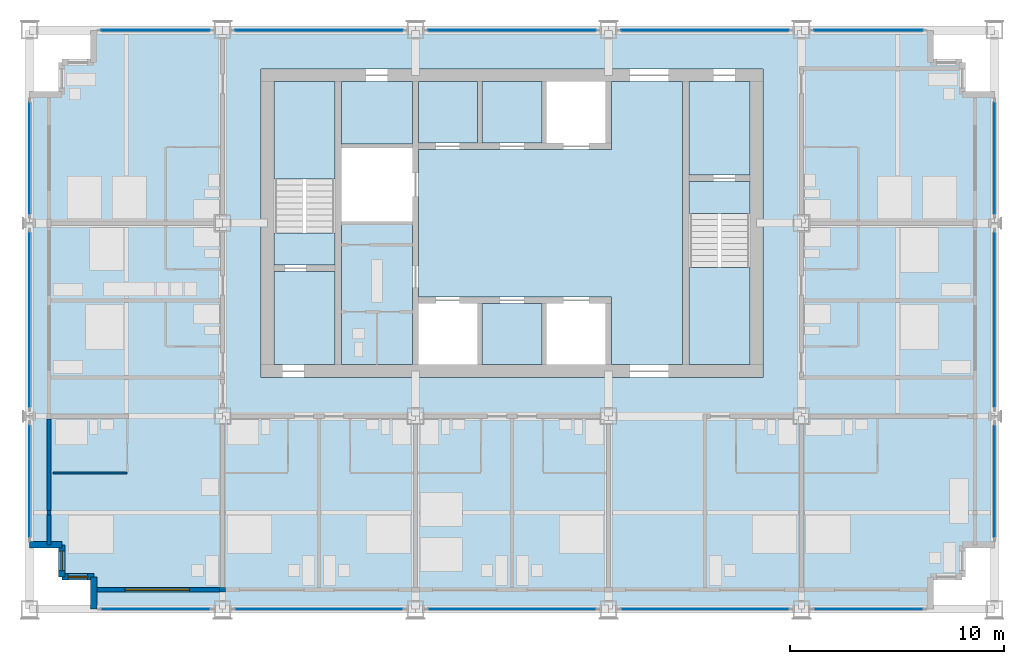
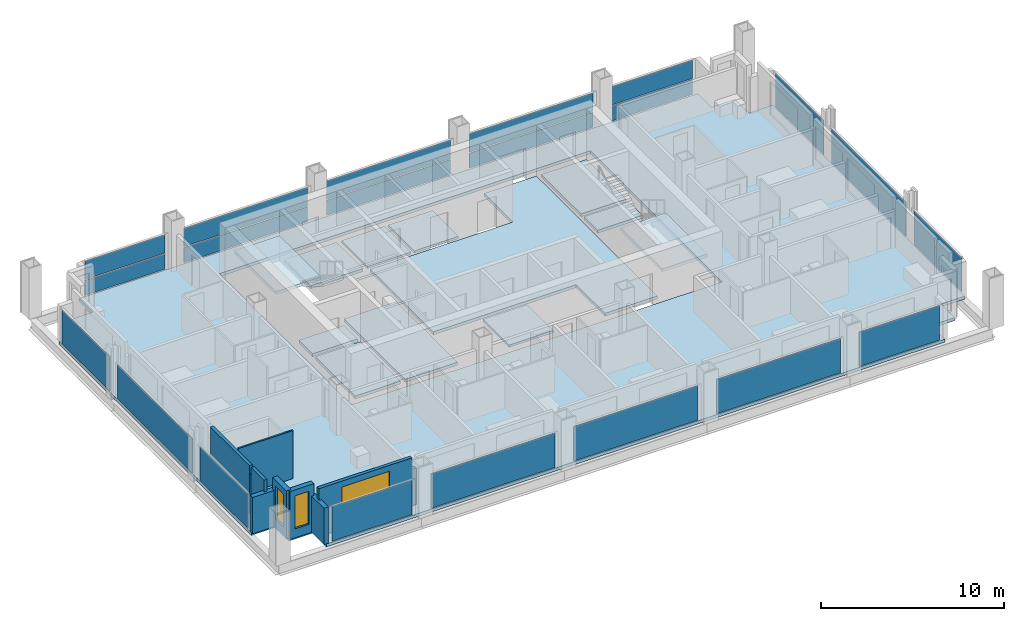
# One storey, part 6 of 14: 21 plates, 13 slabs, 10 walls, 3 windows, 3 openings, 18 elements without a shape of their own.
"""IFC4 building model written with IfcOpenShell, lengths in metres."""

from ifc_helpers import new_model, si_unit, direction, frame, frame_2d, origin, origin_2d, place, context, subcontext, project, spatial, polyline, rectangle, outline, extrude, material, layer, layer_set, type_object, element, fill, aggregate, save


model = new_model("IFC4")

# Units and contexts
model_context = context("Model", 3, precision=1e-05, world=origin(), true_north=direction((0.0, 1.0)))
body_context = subcontext(model_context, "Body", "Model", "MODEL_VIEW")
ifc_project = project(units=[si_unit("LENGTHUNIT", "METRE"), si_unit("AREAUNIT", "SQUARE_METRE"), si_unit("VOLUMEUNIT", "CUBIC_METRE"), si_unit("PLANEANGLEUNIT", "RADIAN"), si_unit("MASSUNIT", "GRAM", prefix="KILO")], contexts=[model_context])

# Site, building, storey
site_placement = place(None, origin())
site = spatial("IfcSite", under=ifc_project, at=site_placement, CompositionType="ELEMENT")
building_placement = place(site_placement, origin())
building = spatial("IfcBuilding", under=site, at=building_placement, Name="Loomwork Tower", CompositionType="ELEMENT")
storey_placement = place(building_placement, frame((0.0, 0.0, 167.199951171875)))
storey = spatial("IfcBuildingStorey", under=building, at=storey_placement, Name="L45", CompositionType="ELEMENT", Elevation=167.199951171875)

# Slabs
ifc_material_1 = material(Name="Concrete 5000 psi (34 MPa) on composite metal deck", Category="concrete")
ifc_layer_1 = layer(ifc_material_1, 0.199951171875)
ifc_layer_set_1 = layer_set([ifc_layer_1], Name="Floor slab 200")
slab_type_1 = type_object("IfcSlabType", Name="Floor slab 200", PredefinedType="FLOOR", material=ifc_layer_set_1)
slab_1_placement = place(storey_placement, frame((0.0, 0.0, -0.199951171875)))
element("IfcSlab", 1, at=slab_1_placement, inside=storey, type_object=slab_type_1, Name="Floor slab L45", PredefinedType="FLOOR", context=body_context, shape_type="SweptSolid", body=[
    extrude(outline(polyline([(3.0, 1.5), (1.5, 1.5), (1.5, 3.0), (0.0, 3.0), (0.0, 24.0), (1.5, 24.0), (1.5, 25.5), (3.0, 25.5), (3.0, 27.0), (42.0, 27.0), (42.0, 25.5), (43.5, 25.5), (43.5, 24.0), (45.0, 24.0), (45.0, 3.0), (43.5, 3.0), (43.5, 1.5), (42.0, 1.5), (42.0, 0.0), (3.0, 0.0), (3.0, 1.5)]), holes=[polyline([(10.800048828125, 11.39990234375), (10.800048828125, 11.39990234375), (10.800048828125, 10.800048828125), (34.199951171875, 10.800048828125), (34.199951171875, 11.39990234375), (34.199951171875, 11.39990234375), (34.199951171875, 24.60009765625), (34.199951171875, 25.199951171875), (10.800048828125, 25.199951171875), (10.800048828125, 24.60009765625), (10.800048828125, 11.39990234375)])]), origin(), (0.0, 0.0, 1.0), 0.199951171875),
])
slab_2_placement = place(storey_placement, frame((0.0, 0.0, -0.199951171875)))
element("IfcSlab", 2, at=slab_2_placement, inside=storey, type_object=slab_type_1, Name="Floor slab L45", PredefinedType="FLOOR", context=body_context, shape_type="SweptSolid", body=[
    extrude(outline(polyline([(30.449951171875, 24.60009765625), (30.449951171875, 11.39990234375), (27.14990234375, 11.39990234375), (27.14990234375, 14.25), (27.14990234375, 14.550048828125), (18.14990234375, 14.550048828125), (18.14990234375, 21.449951171875), (27.14990234375, 21.449951171875), (27.14990234375, 21.75), (27.14990234375, 24.60009765625), (30.449951171875, 24.60009765625)])), origin(), (0.0, 0.0, 1.0), 0.199951171875),
])
slab_3_placement = place(storey_placement, frame((0.0, 0.0, -0.199951171875)))
element("IfcSlab", 3, at=slab_3_placement, inside=storey, type_object=slab_type_1, Name="Floor slab L45", PredefinedType="FLOOR", context=body_context, shape_type="SweptSolid", body=[
    extrude(outline(polyline([(14.550048828125, 11.39990234375), (14.550048828125, 18.074951171875), (17.85009765625, 18.074951171875), (17.85009765625, 11.39990234375), (14.550048828125, 11.39990234375)])), origin(), (0.0, 0.0, 1.0), 0.199951171875),
])
slab_4_placement = place(storey_placement, frame((0.0, 0.0, -0.199951171875)))
element("IfcSlab", 4, at=slab_4_placement, inside=storey, type_object=slab_type_1, Name="Floor slab L45", PredefinedType="FLOOR", context=body_context, shape_type="SweptSolid", body=[
    extrude(outline(polyline([(33.60009765625, 20.25), (30.75, 20.25), (30.75, 24.60009765625), (33.60009765625, 24.60009765625), (33.60009765625, 20.25)])), origin(), (0.0, 0.0, 1.0), 0.199951171875),
])
slab_5_placement = place(storey_placement, frame((0.0, 0.0, -0.199951171875)))
element("IfcSlab", 5, at=slab_5_placement, inside=storey, type_object=slab_type_1, Name="Floor slab L45", PredefinedType="FLOOR", context=body_context, shape_type="SweptSolid", body=[
    extrude(outline(polyline([(14.25, 15.75), (14.25, 11.39990234375), (11.39990234375, 11.39990234375), (11.39990234375, 15.75), (14.25, 15.75)])), origin(), (0.0, 0.0, 1.0), 0.199951171875),
])
slab_6_placement = place(storey_placement, frame((0.0, 0.0, -0.199951171875)))
element("IfcSlab", 6, at=slab_6_placement, inside=storey, type_object=slab_type_1, Name="Floor slab L45", PredefinedType="FLOOR", context=body_context, shape_type="SweptSolid", body=[
    extrude(outline(polyline([(14.550048828125, 21.699951171875), (14.550048828125, 24.60009765625), (17.85009765625, 24.60009765625), (17.85009765625, 21.699951171875), (14.550048828125, 21.699951171875)])), origin(), (0.0, 0.0, 1.0), 0.199951171875),
])

# Curtain wall, plate
ifc_material_2 = material(Name="Aluminium curtain wall frame", Category="aluminium")
curtain_wall_type_1 = type_object("IfcCurtainWallType", Name="Outer skin glazing hotel", PredefinedType="NOTDEFINED", material=ifc_material_2)
curtain_wall_1_placement = place(storey_placement, origin())
curtain_wall_1 = element("IfcCurtainWall", 7, at=curtain_wall_1_placement, inside=storey, type_object=curtain_wall_type_1, Name="Outer skin glazing hotel cw/S-0", PredefinedType="NOTDEFINED")
ifc_material_3 = material(Name="Clear laminated glass", Category="glass")
ifc_layer_2 = layer(ifc_material_3, 0.02392578125)
ifc_layer_set_2 = layer_set([ifc_layer_2], Name="Outer skin glazing hotel panel")
plate_type_1 = type_object("IfcPlateType", Name="Outer skin glazing hotel panel", PredefinedType="CURTAIN_PANEL", material=ifc_layer_set_2)
plate_1_placement = place(storey_placement, frame((5.875, 0.0, 0.06494140625), z_axis=(0.0, 0.0, 1.0), x_axis=(1.0, 0.0, 0.0)))
plate_1 = element("IfcPlate", 8, at=plate_1_placement, type_object=plate_type_1, Name="CW1 panel 1.1", PredefinedType="CURTAIN_PANEL", context=body_context, shape_type="SweptSolid", body=[
    extrude(rectangle(XDim=5.050048828125, YDim=0.02392578125, at=origin_2d()), origin(), (0.0, 0.0, 1.0), 2.290283203125),
])
aggregate(curtain_wall_1, [plate_1])

curtain_wall_2_placement = place(storey_placement, origin())
curtain_wall_2 = element("IfcCurtainWall", 9, at=curtain_wall_2_placement, inside=storey, type_object=curtain_wall_type_1, Name="Outer skin glazing hotel cw/S-9", PredefinedType="NOTDEFINED")
plate_2_placement = place(storey_placement, frame((13.5, 0.0, 0.06494140625), z_axis=(0.0, 0.0, 1.0), x_axis=(1.0, 0.0, 0.0)))
plate_2 = element("IfcPlate", 10, at=plate_2_placement, type_object=plate_type_1, Name="CW1 panel 1.1", PredefinedType="CURTAIN_PANEL", context=body_context, shape_type="SweptSolid", body=[
    extrude(rectangle(XDim=7.800048828125, YDim=0.02392578125, at=origin_2d()), origin(), (0.0, 0.0, 1.0), 2.290283203125),
])
aggregate(curtain_wall_2, [plate_2])

curtain_wall_3_placement = place(storey_placement, origin())
curtain_wall_3 = element("IfcCurtainWall", 11, at=curtain_wall_3_placement, inside=storey, type_object=curtain_wall_type_1, Name="Outer skin glazing hotel cw/S-18", PredefinedType="NOTDEFINED")
plate_3_placement = place(storey_placement, frame((22.5, 0.0, 0.06494140625), z_axis=(0.0, 0.0, 1.0), x_axis=(1.0, 0.0, 0.0)))
plate_3 = element("IfcPlate", 12, at=plate_3_placement, type_object=plate_type_1, Name="CW1 panel 1.1", PredefinedType="CURTAIN_PANEL", context=body_context, shape_type="SweptSolid", body=[
    extrude(rectangle(XDim=7.800048828125, YDim=0.02392578125, at=origin_2d()), origin(), (0.0, 0.0, 1.0), 2.290283203125),
])
aggregate(curtain_wall_3, [plate_3])

curtain_wall_4_placement = place(storey_placement, origin())
curtain_wall_4 = element("IfcCurtainWall", 13, at=curtain_wall_4_placement, inside=storey, type_object=curtain_wall_type_1, Name="Outer skin glazing hotel cw/S-27", PredefinedType="NOTDEFINED")
plate_4_placement = place(storey_placement, frame((31.5, 0.0, 0.06494140625), z_axis=(0.0, 0.0, 1.0), x_axis=(1.0, 0.0, 0.0)))
plate_4 = element("IfcPlate", 14, at=plate_4_placement, type_object=plate_type_1, Name="CW1 panel 1.1", PredefinedType="CURTAIN_PANEL", context=body_context, shape_type="SweptSolid", body=[
    extrude(rectangle(XDim=7.800048828125, YDim=0.02392578125, at=origin_2d()), origin(), (0.0, 0.0, 1.0), 2.290283203125),
])
aggregate(curtain_wall_4, [plate_4])

curtain_wall_5_placement = place(storey_placement, origin())
curtain_wall_5 = element("IfcCurtainWall", 15, at=curtain_wall_5_placement, inside=storey, type_object=curtain_wall_type_1, Name="Outer skin glazing hotel cw/S-36", PredefinedType="NOTDEFINED")
plate_5_placement = place(storey_placement, frame((39.125, 0.0, 0.06494140625), z_axis=(0.0, 0.0, 1.0), x_axis=(1.0, 0.0, 0.0)))
plate_5 = element("IfcPlate", 16, at=plate_5_placement, type_object=plate_type_1, Name="CW1 panel 1.1", PredefinedType="CURTAIN_PANEL", context=body_context, shape_type="SweptSolid", body=[
    extrude(rectangle(XDim=5.050048828125, YDim=0.02392578125, at=origin_2d()), origin(), (0.0, 0.0, 1.0), 2.290283203125),
])
aggregate(curtain_wall_5, [plate_5])

curtain_wall_6_placement = place(storey_placement, origin())
curtain_wall_6 = element("IfcCurtainWall", 17, at=curtain_wall_6_placement, inside=storey, type_object=curtain_wall_type_1, Name="Outer skin glazing hotel cw/W-0", PredefinedType="NOTDEFINED")
plate_6_placement = place(storey_placement, frame((0.0, 5.962646484375, 0.06494140625), z_axis=(0.0, 0.0, 1.0), x_axis=(0.0, -1.0, 0.0)))
plate_6 = element("IfcPlate", 18, at=plate_6_placement, type_object=plate_type_1, Name="CW1 panel 1.1", PredefinedType="CURTAIN_PANEL", context=body_context, shape_type="SweptSolid", body=[
    extrude(rectangle(XDim=5.22509765625, YDim=0.02392578125, at=origin_2d()), origin(), (0.0, 0.0, 1.0), 2.290283203125),
])
aggregate(curtain_wall_6, [plate_6])

curtain_wall_7_placement = place(storey_placement, origin())
curtain_wall_7 = element("IfcCurtainWall", 19, at=curtain_wall_7_placement, inside=storey, type_object=curtain_wall_type_1, Name="Outer skin glazing hotel cw/W-9", PredefinedType="NOTDEFINED")
plate_7_placement = place(storey_placement, frame((0.0, 13.5, 0.06494140625), z_axis=(0.0, 0.0, 1.0), x_axis=(0.0, -1.0, 0.0)))
plate_7 = element("IfcPlate", 20, at=plate_7_placement, type_object=plate_type_1, Name="CW1 panel 1.1", PredefinedType="CURTAIN_PANEL", context=body_context, shape_type="SweptSolid", body=[
    extrude(rectangle(XDim=8.150390625, YDim=0.02392578125, at=origin_2d()), origin(), (0.0, 0.0, 1.0), 2.290283203125),
])
aggregate(curtain_wall_7, [plate_7])

curtain_wall_8_placement = place(storey_placement, origin())
curtain_wall_8 = element("IfcCurtainWall", 21, at=curtain_wall_8_placement, inside=storey, type_object=curtain_wall_type_1, Name="Outer skin glazing hotel cw/W-18", PredefinedType="NOTDEFINED")
plate_8_placement = place(storey_placement, frame((0.0, 21.037353515625, 0.06494140625), z_axis=(0.0, 0.0, 1.0), x_axis=(0.0, -1.0, 0.0)))
plate_8 = element("IfcPlate", 22, at=plate_8_placement, type_object=plate_type_1, Name="CW1 panel 1.1", PredefinedType="CURTAIN_PANEL", context=body_context, shape_type="SweptSolid", body=[
    extrude(rectangle(XDim=5.22509765625, YDim=0.02392578125, at=origin_2d()), origin(), (0.0, 0.0, 1.0), 2.290283203125),
])
aggregate(curtain_wall_8, [plate_8])

curtain_wall_9_placement = place(storey_placement, origin())
curtain_wall_9 = element("IfcCurtainWall", 23, at=curtain_wall_9_placement, inside=storey, type_object=curtain_wall_type_1, Name="Outer skin glazing hotel cw/E-0", PredefinedType="NOTDEFINED")
plate_9_placement = place(storey_placement, frame((45.0, 5.962646484375, 0.06494140625), z_axis=(0.0, 0.0, 1.0), x_axis=(0.0, 1.0, 0.0)))
plate_9 = element("IfcPlate", 24, at=plate_9_placement, type_object=plate_type_1, Name="CW1 panel 1.1", PredefinedType="CURTAIN_PANEL", context=body_context, shape_type="SweptSolid", body=[
    extrude(rectangle(XDim=5.22509765625, YDim=0.02392578125, at=origin_2d()), origin(), (0.0, 0.0, 1.0), 2.290283203125),
])
aggregate(curtain_wall_9, [plate_9])

curtain_wall_10_placement = place(storey_placement, origin())
curtain_wall_10 = element("IfcCurtainWall", 25, at=curtain_wall_10_placement, inside=storey, type_object=curtain_wall_type_1, Name="Outer skin glazing hotel cw/E-9", PredefinedType="NOTDEFINED")
plate_10_placement = place(storey_placement, frame((45.0, 13.5, 0.06494140625), z_axis=(0.0, 0.0, 1.0), x_axis=(0.0, 1.0, 0.0)))
plate_10 = element("IfcPlate", 26, at=plate_10_placement, type_object=plate_type_1, Name="CW1 panel 1.1", PredefinedType="CURTAIN_PANEL", context=body_context, shape_type="SweptSolid", body=[
    extrude(rectangle(XDim=8.150390625, YDim=0.02392578125, at=origin_2d()), origin(), (0.0, 0.0, 1.0), 2.290283203125),
])
aggregate(curtain_wall_10, [plate_10])

curtain_wall_11_placement = place(storey_placement, origin())
curtain_wall_11 = element("IfcCurtainWall", 27, at=curtain_wall_11_placement, inside=storey, type_object=curtain_wall_type_1, Name="Outer skin glazing hotel cw/E-18", PredefinedType="NOTDEFINED")
plate_11_placement = place(storey_placement, frame((45.0, 21.037353515625, 0.06494140625), z_axis=(0.0, 0.0, 1.0), x_axis=(0.0, 1.0, 0.0)))
plate_11 = element("IfcPlate", 28, at=plate_11_placement, type_object=plate_type_1, Name="CW1 panel 1.1", PredefinedType="CURTAIN_PANEL", context=body_context, shape_type="SweptSolid", body=[
    extrude(rectangle(XDim=5.22509765625, YDim=0.02392578125, at=origin_2d()), origin(), (0.0, 0.0, 1.0), 2.290283203125),
])
aggregate(curtain_wall_11, [plate_11])

# Slabs
ifc_material_4 = material(Name="Concrete 5000 psi (34 MPa) on composite metal deck", Category="concrete")
ifc_layer_3 = layer(ifc_material_4, 0.14990234375)
ifc_layer_set_3 = layer_set([ifc_layer_3], Name="Shaft infill floor 150")
slab_type_2 = type_object("IfcSlabType", Name="Shaft infill floor 150", PredefinedType="FLOOR", material=ifc_layer_set_3)
slab_7_placement = place(storey_placement, frame((0.0, 0.0, -0.14990234375)))
element("IfcSlab", 29, at=slab_7_placement, inside=storey, type_object=slab_type_2, Name="Shaft infill floor LS1 L45", PredefinedType="FLOOR", context=body_context, shape_type="SweptSolid", body=[
    extrude(outline(polyline([(18.14990234375, 21.75), (20.89990234375, 21.75), (20.89990234375, 24.60009765625), (18.14990234375, 24.60009765625), (18.14990234375, 21.75)])), origin(), (0.0, 0.0, 1.0), 0.14990234375),
])
slab_8_placement = place(storey_placement, frame((0.0, 0.0, -0.14990234375)))
element("IfcSlab", 30, at=slab_8_placement, inside=storey, type_object=slab_type_2, Name="Shaft infill floor LS2 L45", PredefinedType="FLOOR", context=body_context, shape_type="SweptSolid", body=[
    extrude(outline(polyline([(21.10009765625, 21.75), (23.89990234375, 21.75), (23.89990234375, 24.60009765625), (21.10009765625, 24.60009765625), (21.10009765625, 21.75)])), origin(), (0.0, 0.0, 1.0), 0.14990234375),
])
slab_9_placement = place(storey_placement, frame((0.0, 0.0, -0.14990234375)))
element("IfcSlab", 31, at=slab_9_placement, inside=storey, type_object=slab_type_2, Name="Shaft infill floor S2 L45", PredefinedType="FLOOR", context=body_context, shape_type="SweptSolid", body=[
    extrude(outline(polyline([(21.10009765625, 11.39990234375), (23.89990234375, 11.39990234375), (23.89990234375, 14.25), (21.10009765625, 14.25), (21.10009765625, 11.39990234375)])), origin(), (0.0, 0.0, 1.0), 0.14990234375),
])

# Curtain wall, plates
ifc_material_5 = material(Name="Aluminium curtain wall frame", Category="aluminium")
curtain_wall_type_2 = type_object("IfcCurtainWallType", Name="Single skin glazing corridor", PredefinedType="NOTDEFINED", material=ifc_material_5)
curtain_wall_12_placement = place(storey_placement, origin())
curtain_wall_12 = element("IfcCurtainWall", 32, at=curtain_wall_12_placement, inside=storey, type_object=curtain_wall_type_2, Name="Single skin glazing corridor cw/N-0", PredefinedType="NOTDEFINED")
ifc_material_6 = material(Name="Clear insulated glass", Category="glass")
ifc_layer_4 = layer(ifc_material_6, 0.031982421875)
ifc_layer_set_4 = layer_set([ifc_layer_4], Name="Single skin glazing corridor panel")
plate_type_2 = type_object("IfcPlateType", Name="Single skin glazing corridor panel", PredefinedType="CURTAIN_PANEL", material=ifc_layer_set_4)
plate_12_placement = place(storey_placement, frame((5.875, 27.0, 0.065185546875), z_axis=(0.0, 0.0, 1.0), x_axis=(-1.0, 0.0, 0.0)))
plate_12 = element("IfcPlate", 33, at=plate_12_placement, type_object=plate_type_2, Name="CW3 panel 1.1", PredefinedType="CURTAIN_PANEL", context=body_context, shape_type="SweptSolid", body=[
    extrude(rectangle(XDim=5.050048828125, YDim=0.031982421875, at=origin_2d()), origin(), (0.0, 0.0, 1.0), 1.00244140625),
])
plate_13_placement = place(storey_placement, frame((5.875, 27.0, 1.132568359375), z_axis=(0.0, 0.0, 1.0), x_axis=(-1.0, 0.0, 0.0)))
plate_13 = element("IfcPlate", 34, at=plate_13_placement, type_object=plate_type_2, Name="CW3 panel 1.2", PredefinedType="CURTAIN_PANEL", context=body_context, shape_type="SweptSolid", body=[
    extrude(rectangle(XDim=5.050048828125, YDim=0.031982421875, at=origin_2d()), origin(), (0.0, 0.0, 1.0), 1.22265625),
])
aggregate(curtain_wall_12, [plate_12, plate_13])

curtain_wall_13_placement = place(storey_placement, origin())
curtain_wall_13 = element("IfcCurtainWall", 35, at=curtain_wall_13_placement, inside=storey, type_object=curtain_wall_type_2, Name="Single skin glazing corridor cw/N-9", PredefinedType="NOTDEFINED")
plate_14_placement = place(storey_placement, frame((13.5, 27.0, 0.065185546875), z_axis=(0.0, 0.0, 1.0), x_axis=(-1.0, 0.0, 0.0)))
plate_14 = element("IfcPlate", 36, at=plate_14_placement, type_object=plate_type_2, Name="CW3 panel 1.1", PredefinedType="CURTAIN_PANEL", context=body_context, shape_type="SweptSolid", body=[
    extrude(rectangle(XDim=7.800048828125, YDim=0.031982421875, at=origin_2d()), origin(), (0.0, 0.0, 1.0), 1.00244140625),
])
plate_15_placement = place(storey_placement, frame((13.5, 27.0, 1.132568359375), z_axis=(0.0, 0.0, 1.0), x_axis=(-1.0, 0.0, 0.0)))
plate_15 = element("IfcPlate", 37, at=plate_15_placement, type_object=plate_type_2, Name="CW3 panel 1.2", PredefinedType="CURTAIN_PANEL", context=body_context, shape_type="SweptSolid", body=[
    extrude(rectangle(XDim=7.800048828125, YDim=0.031982421875, at=origin_2d()), origin(), (0.0, 0.0, 1.0), 1.22265625),
])
aggregate(curtain_wall_13, [plate_14, plate_15])

curtain_wall_14_placement = place(storey_placement, origin())
curtain_wall_14 = element("IfcCurtainWall", 38, at=curtain_wall_14_placement, inside=storey, type_object=curtain_wall_type_2, Name="Single skin glazing corridor cw/N-18", PredefinedType="NOTDEFINED")
plate_16_placement = place(storey_placement, frame((22.5, 27.0, 0.065185546875), z_axis=(0.0, 0.0, 1.0), x_axis=(-1.0, 0.0, 0.0)))
plate_16 = element("IfcPlate", 39, at=plate_16_placement, type_object=plate_type_2, Name="CW3 panel 1.1", PredefinedType="CURTAIN_PANEL", context=body_context, shape_type="SweptSolid", body=[
    extrude(rectangle(XDim=7.800048828125, YDim=0.031982421875, at=origin_2d()), origin(), (0.0, 0.0, 1.0), 1.00244140625),
])
plate_17_placement = place(storey_placement, frame((22.5, 27.0, 1.132568359375), z_axis=(0.0, 0.0, 1.0), x_axis=(-1.0, 0.0, 0.0)))
plate_17 = element("IfcPlate", 40, at=plate_17_placement, type_object=plate_type_2, Name="CW3 panel 1.2", PredefinedType="CURTAIN_PANEL", context=body_context, shape_type="SweptSolid", body=[
    extrude(rectangle(XDim=7.800048828125, YDim=0.031982421875, at=origin_2d()), origin(), (0.0, 0.0, 1.0), 1.22265625),
])
aggregate(curtain_wall_14, [plate_16, plate_17])

curtain_wall_15_placement = place(storey_placement, origin())
curtain_wall_15 = element("IfcCurtainWall", 41, at=curtain_wall_15_placement, inside=storey, type_object=curtain_wall_type_2, Name="Single skin glazing corridor cw/N-27", PredefinedType="NOTDEFINED")
plate_18_placement = place(storey_placement, frame((31.5, 27.0, 0.065185546875), z_axis=(0.0, 0.0, 1.0), x_axis=(-1.0, 0.0, 0.0)))
plate_18 = element("IfcPlate", 42, at=plate_18_placement, type_object=plate_type_2, Name="CW3 panel 1.1", PredefinedType="CURTAIN_PANEL", context=body_context, shape_type="SweptSolid", body=[
    extrude(rectangle(XDim=7.800048828125, YDim=0.031982421875, at=origin_2d()), origin(), (0.0, 0.0, 1.0), 1.00244140625),
])
plate_19_placement = place(storey_placement, frame((31.5, 27.0, 1.132568359375), z_axis=(0.0, 0.0, 1.0), x_axis=(-1.0, 0.0, 0.0)))
plate_19 = element("IfcPlate", 43, at=plate_19_placement, type_object=plate_type_2, Name="CW3 panel 1.2", PredefinedType="CURTAIN_PANEL", context=body_context, shape_type="SweptSolid", body=[
    extrude(rectangle(XDim=7.800048828125, YDim=0.031982421875, at=origin_2d()), origin(), (0.0, 0.0, 1.0), 1.22265625),
])
aggregate(curtain_wall_15, [plate_18, plate_19])

curtain_wall_16_placement = place(storey_placement, origin())
curtain_wall_16 = element("IfcCurtainWall", 44, at=curtain_wall_16_placement, inside=storey, type_object=curtain_wall_type_2, Name="Single skin glazing corridor cw/N-36", PredefinedType="NOTDEFINED")
plate_20_placement = place(storey_placement, frame((39.125, 27.0, 0.065185546875), z_axis=(0.0, 0.0, 1.0), x_axis=(-1.0, 0.0, 0.0)))
plate_20 = element("IfcPlate", 45, at=plate_20_placement, type_object=plate_type_2, Name="CW3 panel 1.1", PredefinedType="CURTAIN_PANEL", context=body_context, shape_type="SweptSolid", body=[
    extrude(rectangle(XDim=5.050048828125, YDim=0.031982421875, at=origin_2d()), origin(), (0.0, 0.0, 1.0), 1.00244140625),
])
plate_21_placement = place(storey_placement, frame((39.125, 27.0, 1.132568359375), z_axis=(0.0, 0.0, 1.0), x_axis=(-1.0, 0.0, 0.0)))
plate_21 = element("IfcPlate", 46, at=plate_21_placement, type_object=plate_type_2, Name="CW3 panel 1.2", PredefinedType="CURTAIN_PANEL", context=body_context, shape_type="SweptSolid", body=[
    extrude(rectangle(XDim=5.050048828125, YDim=0.031982421875, at=origin_2d()), origin(), (0.0, 0.0, 1.0), 1.22265625),
])
aggregate(curtain_wall_16, [plate_20, plate_21])

# Stair, slabs
ifc_material_7 = material(Name="Concrete 5000 psi (34 MPa) precast stair", Category="concrete")
stair_type_1 = type_object("IfcStairType", Name="Stair ST-A 20 risers 2850 wide", PredefinedType="HALF_TURN_STAIR", material=ifc_material_7)
stair_1_placement = place(storey_placement, origin())
stair_1 = element("IfcStair", 47, at=stair_1_placement, inside=storey, type_object=stair_type_1, Name="Stair A L45", PredefinedType="HALF_TURN_STAIR")
ifc_material_8 = material(Name="Concrete 5000 psi (34 MPa)", Category="concrete")
ifc_layer_5 = layer(ifc_material_8, 0.199951171875)
ifc_layer_set_5 = layer_set([ifc_layer_5], Name="Stair landing 200")
slab_type_3 = type_object("IfcSlabType", Name="Stair landing 200", PredefinedType="LANDING", material=ifc_layer_set_5)
slab_10_placement = place(storey_placement, frame((0.0, 0.0, -0.199951171875)))
slab_10 = element("IfcSlab", 48, at=slab_10_placement, type_object=slab_type_3, Name="ST-A landing 1", PredefinedType="LANDING", context=body_context, shape_type="SweptSolid", body=[
    extrude(outline(polyline([(11.39990234375, 16.050048828125), (14.25, 16.050048828125), (14.25, 17.550048828125), (11.39990234375, 17.550048828125), (11.39990234375, 16.050048828125)])), origin(), (0.0, 0.0, 1.0), 0.199951171875),
])
slab_11_placement = place(storey_placement, frame((0.0, 0.0, 1.5)))
slab_11 = element("IfcSlab", 49, at=slab_11_placement, type_object=slab_type_3, Name="ST-A landing 2", PredefinedType="LANDING", context=body_context, shape_type="SweptSolid", body=[
    extrude(outline(polyline([(11.39990234375, 20.070068359375), (14.25, 20.070068359375), (14.25, 24.60009765625), (11.39990234375, 24.60009765625), (11.39990234375, 20.070068359375)])), origin(), (0.0, 0.0, 1.0), 0.199951171875),
])
aggregate(stair_1, [slab_10, slab_11])

ifc_material_9 = material(Name="Concrete 5000 psi (34 MPa) precast stair", Category="concrete")
stair_type_2 = type_object("IfcStairType", Name="Stair ST-B 20 risers 2850 wide", PredefinedType="HALF_TURN_STAIR", material=ifc_material_9)
stair_2_placement = place(storey_placement, origin())
stair_2 = element("IfcStair", 50, at=stair_2_placement, inside=storey, type_object=stair_type_2, Name="Stair B L45", PredefinedType="HALF_TURN_STAIR")
slab_12_placement = place(storey_placement, frame((0.0, 0.0, -0.199951171875)))
slab_12 = element("IfcSlab", 51, at=slab_12_placement, type_object=slab_type_3, Name="ST-B landing 1", PredefinedType="LANDING", context=body_context, shape_type="SweptSolid", body=[
    extrude(outline(polyline([(30.75, 18.449951171875), (33.60009765625, 18.449951171875), (33.60009765625, 19.949951171875), (30.75, 19.949951171875), (30.75, 18.449951171875)])), origin(), (0.0, 0.0, 1.0), 0.199951171875),
])
slab_13_placement = place(storey_placement, frame((0.0, 0.0, 1.5)))
slab_13 = element("IfcSlab", 52, at=slab_13_placement, type_object=slab_type_3, Name="ST-B landing 2", PredefinedType="LANDING", context=body_context, shape_type="SweptSolid", body=[
    extrude(outline(polyline([(30.75, 11.39990234375), (33.60009765625, 11.39990234375), (33.60009765625, 15.929931640625), (30.75, 15.929931640625), (30.75, 11.39990234375)])), origin(), (0.0, 0.0, 1.0), 0.199951171875),
])
aggregate(stair_2, [slab_12, slab_13])

# Wall
ifc_material_10 = material(Name="Cement board on steel studs", Category="steel")
ifc_layer_6 = layer(ifc_material_10, 0.10009765625)
ifc_layer_set_6 = layer_set([ifc_layer_6], Name="En-suite partition 100")
wall_type_1 = type_object("IfcWallType", Name="En-suite partition 100", PredefinedType="PARTITIONING", material=ifc_layer_set_6)
wall_1_placement = place(storey_placement, frame((1.10009765625, 6.35009765625, 0.0), z_axis=(0.0, 0.0, 1.0), x_axis=(1.0, 0.0, 0.0)))
element("IfcWall", 53, at=wall_1_placement, inside=storey, type_object=wall_type_1, Name="En-suite wall L45 room 1", PredefinedType="PARTITIONING", context=body_context, shape_type="SweptSolid", body=[
    extrude(rectangle(XDim=3.449951171875, YDim=0.10009765625, at=frame_2d((1.72509765625, 0.0))), origin(), (0.0, 0.0, 1.0), 3.199951171875),
])

# Wall, opening, window
ifc_material_11 = material(Name="Insulated steel stud wall with gypsum lining", Category="steel")
ifc_layer_7 = layer(ifc_material_11, 0.199951171875)
ifc_layer_set_7 = layer_set([ifc_layer_7], Name="Inner skin wall 200")
wall_type_2 = type_object("IfcWallType", Name="Inner skin wall 200", PredefinedType="SOLIDWALL", material=ifc_layer_set_7)
wall_2_placement = place(storey_placement, frame((3.0, 0.89990234375, 0.0), z_axis=(0.0, 0.0, 1.0), x_axis=(1.0, 0.0, 0.0)))
wall_2 = element("IfcWall", 54, at=wall_2_placement, inside=storey, type_object=wall_type_2, Name="Inner skin wall S", PredefinedType="SOLIDWALL", context=body_context, shape_type="SweptSolid", body=[
    extrude(rectangle(XDim=5.86474609375, YDim=0.199951171875, at=frame_2d((2.932373046875, 0.0))), origin(), (0.0, 0.0, 1.0), 3.199951171875),
])
opening_1_placement = place(wall_2_placement, frame((1.449951171875, 0.0, 0.60009765625)))
opening_1 = element("IfcOpeningElement", 55, at=opening_1_placement, cuts=wall_2, Name="Opening CH1", PredefinedType="OPENING", context=body_context, shape_type="SweptSolid", body=[
    extrude(rectangle(XDim=3.0, YDim=2.199951171875, at=frame_2d((1.5, 1.10009765625))), frame((0.0, 0.10986328125, 0.0), z_axis=(0.0, -1.0, 0.0), x_axis=(1.0, 0.0, 0.0)), (0.0, 0.0, 1.0), 0.219970703125),
])
ifc_material_12 = material(Name="Aluminium frame with clear insulated glass", Category="aluminium")
window_type_1 = type_object("IfcWindowType", Name="Chicago window 3000", PartitioningType="TRIPLE_PANEL_VERTICAL", PredefinedType="WINDOW", material=ifc_material_12)
window_1_placement = place(opening_1_placement, origin())
window_1 = element("IfcWindow", 56, at=window_1_placement, inside=storey, type_object=window_type_1, Name="Chicago window L45 bay 1", OverallHeight=2.199951171875, OverallWidth=3.0, PartitioningType="TRIPLE_PANEL_VERTICAL", PredefinedType="WINDOW", context=body_context, shape_type="SweptSolid", body=[
    extrude(rectangle(XDim=3.0, YDim=2.199951171875, at=frame_2d((1.5, 1.10009765625))), frame((0.0, 0.030029296875, 0.0), z_axis=(0.0, -1.0, 0.0), x_axis=(1.0, 0.0, 0.0)), (0.0, 0.0, 1.0), 0.06005859375),
])
fill(opening_1, window_1)

# Walls
wall_3_placement = place(storey_placement, frame((0.89990234375, 3.0, 0.0), z_axis=(0.0, 0.0, 1.0), x_axis=(0.0, 1.0, 0.0)))
element("IfcWall", 57, at=wall_3_placement, inside=storey, type_object=wall_type_2, Name="Inner skin wall W", PredefinedType="SOLIDWALL", context=body_context, shape_type="SweptSolid", body=[
    extrude(rectangle(XDim=1.392578125, YDim=0.199951171875, at=frame_2d((0.6962890625, 0.0))), origin(), (0.0, 0.0, 1.0), 3.199951171875),
])
wall_4_placement = place(storey_placement, frame((8.86474609375, 0.89990234375, 0.0), z_axis=(0.0, 0.0, 1.0), x_axis=(1.0, 0.0, 0.0)))
element("IfcWall", 58, at=wall_4_placement, inside=storey, type_object=wall_type_2, Name="Inner skin wall S bay 2", PredefinedType="SOLIDWALL", context=body_context, shape_type="SweptSolid", body=[
    extrude(rectangle(XDim=0.2705078125, YDim=0.199951171875, at=frame_2d((0.13525390625, 0.0))), origin(), (0.0, 0.0, 1.0), 2.43798828125),
])
wall_5_placement = place(storey_placement, frame((0.89990234375, 4.392578125, 0.0), z_axis=(0.0, 0.0, 1.0), x_axis=(0.0, 1.0, 0.0)))
element("IfcWall", 59, at=wall_5_placement, inside=storey, type_object=wall_type_2, Name="Inner skin wall W bay 2", PredefinedType="SOLIDWALL", context=body_context, shape_type="SweptSolid", body=[
    extrude(rectangle(XDim=0.21484375, YDim=0.199951171875, at=frame_2d((0.107421875, 0.0))), origin(), (0.0, 0.0, 1.0), 2.6611328125),
])
wall_6_placement = place(storey_placement, frame((0.89990234375, 4.607421875, 0.0), z_axis=(0.0, 0.0, 1.0), x_axis=(0.0, 1.0, 0.0)))
element("IfcWall", 60, at=wall_6_placement, inside=storey, type_object=wall_type_2, Name="Inner skin wall W bay 3", PredefinedType="SOLIDWALL", context=body_context, shape_type="SweptSolid", body=[
    extrude(rectangle(XDim=4.25732421875, YDim=0.199951171875, at=frame_2d((2.128662109375, 0.0))), origin(), (0.0, 0.0, 1.0), 3.199951171875),
])
ifc_material_13 = material(Name="Limestone on concrete masonry", Category="masonry")
ifc_layer_8 = layer(ifc_material_13, 0.300048828125)
ifc_layer_set_8 = layer_set([ifc_layer_8], Name="Limestone corner wall 300")
wall_type_3 = type_object("IfcWallType", Name="Limestone corner wall 300", PredefinedType="SOLIDWALL", material=ifc_layer_set_8)
wall_7_placement = place(storey_placement, frame((0.0, 3.0, 0.0), z_axis=(0.0, 0.0, 1.0), x_axis=(1.0, 0.0, 0.0)))
element("IfcWall", 61, at=wall_7_placement, inside=storey, type_object=wall_type_3, Name="Stone corner wall SW 1", PredefinedType="SOLIDWALL", context=body_context, shape_type="SweptSolid", body=[
    extrude(rectangle(XDim=1.5, YDim=0.300048828125, at=frame_2d((0.75, 0.0))), origin(), (0.0, 0.0, 1.0), 2.420166015625),
])

# Wall, opening, window
wall_8_placement = place(storey_placement, frame((1.5, 3.0, 0.0), z_axis=(0.0, 0.0, 1.0), x_axis=(0.0, -1.0, 0.0)))
wall_8 = element("IfcWall", 62, at=wall_8_placement, inside=storey, type_object=wall_type_3, Name="Stone corner wall SW 2", PredefinedType="SOLIDWALL", context=body_context, shape_type="SweptSolid", body=[
    extrude(rectangle(XDim=1.5, YDim=0.300048828125, at=frame_2d((0.75, 0.0))), origin(), (0.0, 0.0, 1.0), 3.199951171875),
])
opening_2_placement = place(wall_8_placement, frame((0.300048828125, 0.0, 0.60009765625)))
opening_2 = element("IfcOpeningElement", 63, at=opening_2_placement, cuts=wall_8, Name="Opening CH2", PredefinedType="OPENING", context=body_context, shape_type="SweptSolid", body=[
    extrude(rectangle(XDim=0.89990234375, YDim=2.199951171875, at=frame_2d((0.449951171875, 1.10009765625))), frame((0.0, 0.159912109375, 0.0), z_axis=(0.0, -1.0, 0.0), x_axis=(1.0, 0.0, 0.0)), (0.0, 0.0, 1.0), 0.320068359375),
])
ifc_material_14 = material(Name="Aluminium frame with clear insulated glass", Category="aluminium")
window_type_2 = type_object("IfcWindowType", Name="Corner window 900", PartitioningType="SINGLE_PANEL", PredefinedType="WINDOW", material=ifc_material_14)
window_2_placement = place(opening_2_placement, origin())
window_2 = element("IfcWindow", 64, at=window_2_placement, inside=storey, type_object=window_type_2, Name="Corner window SW", OverallHeight=2.199951171875, OverallWidth=0.89990234375, PartitioningType="SINGLE_PANEL", PredefinedType="WINDOW", context=body_context, shape_type="SweptSolid", body=[
    extrude(rectangle(XDim=0.89990234375, YDim=2.199951171875, at=frame_2d((0.449951171875, 1.10009765625))), frame((0.0, 0.030029296875, 0.0), z_axis=(0.0, -1.0, 0.0), x_axis=(1.0, 0.0, 0.0)), (0.0, 0.0, 1.0), 0.06005859375),
])
fill(opening_2, window_2)

wall_9_placement = place(storey_placement, frame((1.5, 1.5, 0.0), z_axis=(0.0, 0.0, 1.0), x_axis=(1.0, 0.0, 0.0)))
wall_9 = element("IfcWall", 65, at=wall_9_placement, inside=storey, type_object=wall_type_3, Name="Stone corner wall SW 3", PredefinedType="SOLIDWALL", context=body_context, shape_type="SweptSolid", body=[
    extrude(rectangle(XDim=1.5, YDim=0.300048828125, at=frame_2d((0.75, 0.0))), origin(), (0.0, 0.0, 1.0), 3.199951171875),
])
opening_3_placement = place(wall_9_placement, frame((0.300048828125, 0.0, 0.60009765625)))
opening_3 = element("IfcOpeningElement", 66, at=opening_3_placement, cuts=wall_9, Name="Opening CH2", PredefinedType="OPENING", context=body_context, shape_type="SweptSolid", body=[
    extrude(rectangle(XDim=0.89990234375, YDim=2.199951171875, at=frame_2d((0.449951171875, 1.10009765625))), frame((0.0, 0.159912109375, 0.0), z_axis=(0.0, -1.0, 0.0), x_axis=(1.0, 0.0, 0.0)), (0.0, 0.0, 1.0), 0.320068359375),
])
window_3_placement = place(opening_3_placement, origin())
window_3 = element("IfcWindow", 67, at=window_3_placement, inside=storey, type_object=window_type_2, Name="Corner window SW", OverallHeight=2.199951171875, OverallWidth=0.89990234375, PartitioningType="SINGLE_PANEL", PredefinedType="WINDOW", context=body_context, shape_type="SweptSolid", body=[
    extrude(rectangle(XDim=0.89990234375, YDim=2.199951171875, at=frame_2d((0.449951171875, 1.10009765625))), frame((0.0, 0.030029296875, 0.0), z_axis=(0.0, -1.0, 0.0), x_axis=(1.0, 0.0, 0.0)), (0.0, 0.0, 1.0), 0.06005859375),
])
fill(opening_3, window_3)

# Wall
wall_10_placement = place(storey_placement, frame((3.0, 1.5, 0.0), z_axis=(0.0, 0.0, 1.0), x_axis=(0.0, -1.0, 0.0)))
element("IfcWall", 68, at=wall_10_placement, inside=storey, type_object=wall_type_3, Name="Stone corner wall SW 4", PredefinedType="SOLIDWALL", context=body_context, shape_type="SweptSolid", body=[
    extrude(rectangle(XDim=1.5, YDim=0.300048828125, at=frame_2d((0.75, 0.0))), origin(), (0.0, 0.0, 1.0), 2.420166015625),
])

save(model, "model.ifc")
